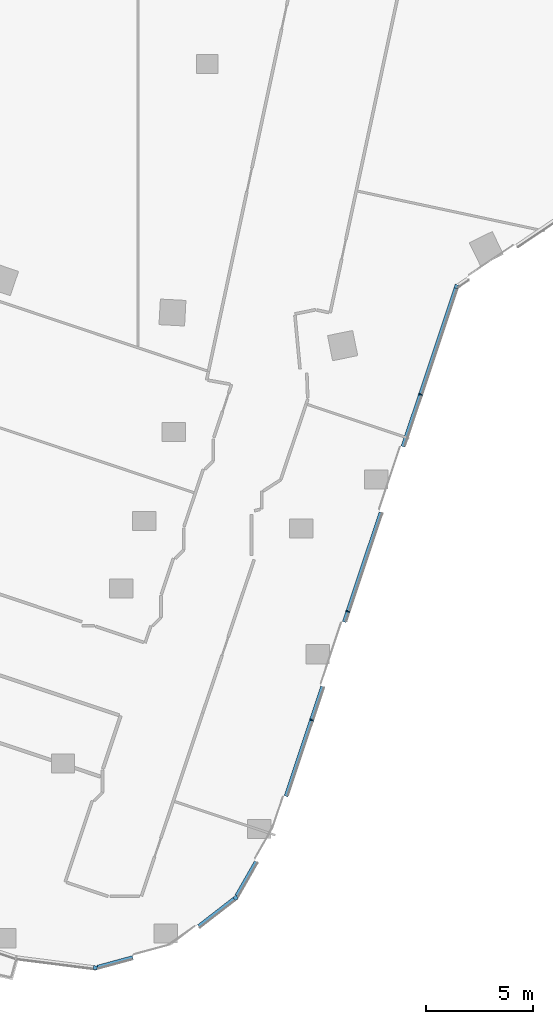
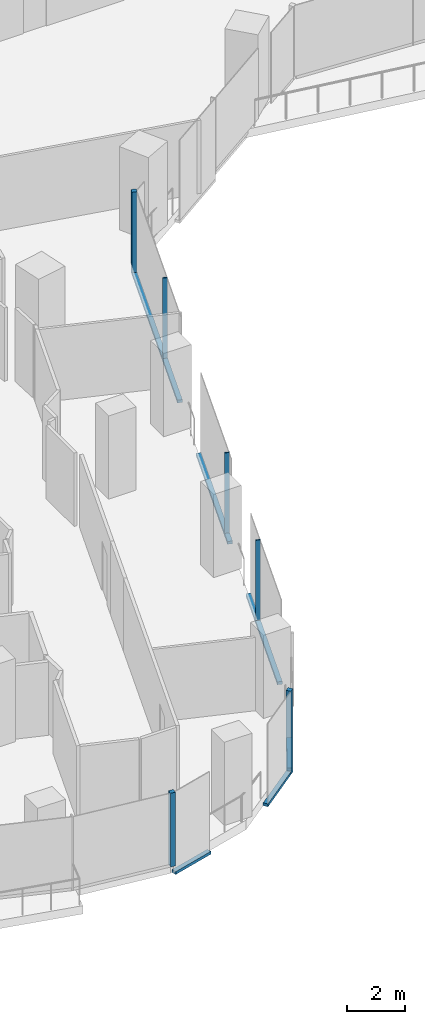
# One storey, part 5 of 34: 12 members, 5 elements without a shape of their own.
"""IFC4 building model written with IfcOpenShell, lengths in metres."""

import ifcopenshell
import ifcopenshell.guid

model = None  # the IFC model being written
_history = None  # IfcOwnerHistory: only IFC2X3 demands one
_inside = {}  # id of a spatial element -> (the spatial element, [elements in it])
_under = {}  # id of a project, library or spatial element -> (it, [spatial elements below it])
_declared = {}  # id of a project -> (the project, [libraries it declares])
_typed = {}  # id of a type object -> (the type object, [elements of that type])
_made_of = {}  # id of a material, layer set ... -> (it, [elements and type objects made of it])


def new_model(schema):
    """Start an empty IFC model of exactly this schema.

    Asked for "IFC4X3", IfcOpenShell would pick the latest addendum, in which some entities
    have other attributes; the version numbers below select the first issue.
    IFC2X3 requires an IfcOwnerHistory on every rooted entity: one is made here for all.
    """
    global model, _history
    if schema == "IFC4X3":
        model = ifcopenshell.file(schema_version=(4, 3, 0, 0))
    else:
        model = ifcopenshell.file(schema=schema)
    _inside.clear()
    _under.clear()
    _declared.clear()
    _typed.clear()
    _made_of.clear()
    _history = None
    if model.schema == "IFC2X3":
        org = make("IfcOrganization", Name="unknown")
        user = make(
            "IfcPersonAndOrganization",
            ThePerson=make("IfcPerson", FamilyName="unknown"),
            TheOrganization=org,
        )
        app = make(
            "IfcApplication",
            ApplicationDeveloper=org,
            Version="unknown",
            ApplicationFullName="unknown",
            ApplicationIdentifier="unknown",
        )
        _history = make(
            "IfcOwnerHistory",
            OwningUser=user,
            OwningApplication=app,
            ChangeAction="ADDED",
            CreationDate=0,
        )
    return model


def make(cls, **values):
    """One entity of the class cls with the attributes given. An attribute that is None is left unset."""
    return model.create_entity(
        cls, **{name: value for name, value in values.items() if value is not None}
    )


def rooted(cls, **values):
    """An entity with a GlobalId (a new one), such as an element, a storey or a relation."""
    return make(cls, GlobalId=ifcopenshell.guid.new(), OwnerHistory=_history, **values)


def si_unit(unit_type, name, prefix=None):
    """IfcSIUnit, for example si_unit("LENGTHUNIT", "METRE", prefix="MILLI")."""
    return make("IfcSIUnit", UnitType=unit_type, Prefix=prefix, Name=name)


def assignment(units):
    """IfcUnitAssignment: the units of a project."""
    return None if units is None else make("IfcUnitAssignment", Units=units)


def point(xyz):
    """IfcCartesianPoint."""
    return None if xyz is None else make("IfcCartesianPoint", Coordinates=xyz)


def direction(xyz):
    """IfcDirection."""
    return None if xyz is None else make("IfcDirection", DirectionRatios=xyz)


def frame(location, z_axis=None, x_axis=None):
    """IfcAxis2Placement3D, a coordinate frame: its origin and axes. An axis left out is left unset."""
    return make(
        "IfcAxis2Placement3D",
        Location=point(location),
        Axis=direction(z_axis),
        RefDirection=direction(x_axis),
    )


def frame_2d(location, x_axis=None):
    """IfcAxis2Placement2D, a coordinate frame in the plane: its origin and x axis."""
    return make(
        "IfcAxis2Placement2D", Location=point(location), RefDirection=direction(x_axis)
    )


def origin():
    """The frame at (0, 0, 0) with its axes left unset."""
    return frame((0.0, 0.0, 0.0))


def origin_2d():
    """The frame at (0, 0) in the plane with its x axis left unset."""
    return frame_2d((0.0, 0.0))


def place(relative_to, where):
    """IfcLocalPlacement: puts the frame where relative to a parent placement (None: the world)."""
    return make(
        "IfcLocalPlacement", PlacementRelTo=relative_to, RelativePlacement=where
    )


def context(
    kind, dimensions, precision=None, world=None, true_north=None, identifier=None
):
    """IfcGeometricRepresentationContext, for example the 3D "Model" context."""
    return make(
        "IfcGeometricRepresentationContext",
        ContextIdentifier=identifier,
        ContextType=kind,
        CoordinateSpaceDimension=dimensions,
        Precision=precision,
        WorldCoordinateSystem=world,
        TrueNorth=true_north,
    )


def subcontext(parent, identifier, kind, view, scale=None):
    """IfcGeometricRepresentationSubContext, for example "Body" below "Model"."""
    return make(
        "IfcGeometricRepresentationSubContext",
        ContextIdentifier=identifier,
        ContextType=kind,
        ParentContext=parent,
        TargetScale=scale,
        TargetView=view,
    )


def project(units=None, contexts=None):
    """IfcProject with its units and contexts."""
    return rooted(
        "IfcProject",
        Name="project",
        RepresentationContexts=contexts,
        UnitsInContext=assignment(units),
    )


def spatial(cls, under=None, at=None, **own):
    """A site, building, storey or space (cls), placed at a placement, below another one or the project."""
    s = rooted(cls, ObjectPlacement=at, **own)
    if under is not None:
        _under.setdefault(under.id(), (under, []))[1].append(s)
    return s


def profile(cls, at=None, kind="AREA", **sizes):
    """A parametric profile (cls). Its sizes go by their IFC names, for example OverallWidth=200.0."""
    return make(cls, ProfileType=kind, Position=at, **sizes)


def rectangle(**sizes):
    """IfcRectangleProfileDef."""
    return profile("IfcRectangleProfileDef", **sizes)


def extrude(swept, where, along, depth):
    """IfcExtrudedAreaSolid: the profile swept, set in the frame where, extruded along a direction by depth."""
    return make(
        "IfcExtrudedAreaSolid",
        SweptArea=swept,
        Position=where,
        ExtrudedDirection=direction(along),
        Depth=depth,
    )


def shape(context_of_items, identifier, shape_type, items):
    """IfcShapeRepresentation: the items that make up one representation, for example the "Body"."""
    return make(
        "IfcShapeRepresentation",
        ContextOfItems=context_of_items,
        RepresentationIdentifier=identifier,
        RepresentationType=shape_type,
        Items=items,
    )


def material(Name=None, Category=None):
    """IfcMaterial."""
    return make("IfcMaterial", Name=Name, Category=Category)


def material_profile(
    of_material, cross_section, Name=None, Category=None, Priority=None
):
    """IfcMaterialProfile: a cross section and its material."""
    return make(
        "IfcMaterialProfile",
        Name=Name,
        Material=of_material,
        Profile=cross_section,
        Priority=Priority,
        Category=Category,
    )


def profile_set(profiles, Name=None, composite=None):
    """IfcMaterialProfileSet."""
    return make(
        "IfcMaterialProfileSet",
        Name=Name,
        MaterialProfiles=profiles,
        CompositeProfile=composite,
    )


def made_of(thing, what):
    """Note that an element or type object is made of a material, layer set ...; save() writes the relation."""
    if what is not None:
        _made_of.setdefault(what.id(), (what, []))[1].append(thing)
    return thing


def type_object(cls, material=None, **own):
    """A type object (cls), such as IfcWallType, which elements share."""
    return made_of(rooted(cls, **own), material)


def element(
    cls,
    number,
    at=None,
    inside=None,
    cuts=None,
    type_object=None,
    material=None,
    context=None,
    identifier="Body",
    shape_type=None,
    held_by="IfcProductDefinitionShape",
    body=None,
    shapes=None,
    **own,
):
    """One element of the class cls, such as IfcWall. Its Tag is "e" and its number.

    at: its placement. inside: the storey or other place that contains it. cuts: it is an
    opening in that element (IfcRelVoidsElement). A single representation is given by context,
    identifier, shape_type and body (its items); several are given by shapes. held_by: the class
    of the entity that holds the representations. save() writes the other relations.
    """
    e = rooted(cls, Tag="e%d" % number, ObjectPlacement=at, **own)
    if body is not None:
        shapes = [shape(context, identifier, shape_type, body)]
    if shapes is not None:
        e.Representation = make(held_by, Representations=shapes)
    if inside is not None:
        _inside.setdefault(inside.id(), (inside, []))[1].append(e)
    if cuts is not None:
        rooted(
            "IfcRelVoidsElement", RelatingBuildingElement=cuts, RelatedOpeningElement=e
        )
    if type_object is not None:
        _typed.setdefault(type_object.id(), (type_object, []))[1].append(e)
    return made_of(e, material)


def aggregate(whole, parts):
    """IfcRelAggregates: a whole, such as a stair, and the parts it consists of."""
    return rooted("IfcRelAggregates", RelatingObject=whole, RelatedObjects=parts)


def save(model, path):
    """Write the relations noted so far, then the file.

    IfcRelAggregates (storeys below a building ...), IfcRelContainedInSpatialStructure (elements
    in a storey), IfcRelDefinesByType, IfcRelAssociatesMaterial and IfcRelDeclares: one each for
    every whole, place, type object, material and project.
    """
    for whole, parts in _under.values():
        aggregate(whole, parts)
    for where, things in _inside.values():
        rooted(
            "IfcRelContainedInSpatialStructure",
            RelatedElements=things,
            RelatingStructure=where,
        )
    for kind, things in _typed.values():
        rooted("IfcRelDefinesByType", RelatedObjects=things, RelatingType=kind)
    for what, things in _made_of.values():
        rooted("IfcRelAssociatesMaterial", RelatedObjects=things, RelatingMaterial=what)
    for by, libraries in _declared.values():
        rooted("IfcRelDeclares", RelatingContext=by, RelatedDefinitions=libraries)
    model.write(path)


model = new_model("IFC4")

# Units and contexts
model_context = context("Model", 3, precision=1e-05, world=origin(), true_north=direction((0.0, 1.0)))
body_context = subcontext(model_context, "Body", "Model", "MODEL_VIEW")
ifc_project = project(units=[si_unit("LENGTHUNIT", "METRE"), si_unit("AREAUNIT", "SQUARE_METRE"), si_unit("VOLUMEUNIT", "CUBIC_METRE"), si_unit("PLANEANGLEUNIT", "RADIAN"), si_unit("MASSUNIT", "GRAM", prefix="KILO")], contexts=[model_context])

# Site, building, storey
site_placement = place(None, origin())
site = spatial("IfcSite", under=ifc_project, at=site_placement, CompositionType="ELEMENT")
building_placement = place(site_placement, origin())
building = spatial("IfcBuilding", under=site, at=building_placement, Name="Orlundy Tower", CompositionType="ELEMENT")
storey_placement = place(building_placement, frame((0.0, 0.0, 145.60009765625)))
storey = spatial("IfcBuildingStorey", under=building, at=storey_placement, Name="L37", CompositionType="ELEMENT", Elevation=145.60009765625)

# Curtain wall, member
ifc_material_1 = material(Name="Aluminium bronze anodised", Category="aluminium")
curtain_wall_type = type_object("IfcCurtainWallType", Name="CW1 wall", PredefinedType="NOTDEFINED", material=ifc_material_1)
curtain_wall_1_placement = place(storey_placement, origin())
curtain_wall_1 = element("IfcCurtainWall", 1, at=curtain_wall_1_placement, inside=storey, type_object=curtain_wall_type, Name="CW1 run 02", PredefinedType="NOTDEFINED")
ifc_material_2 = material(Name="Aluminium bronze anodised", Category="aluminium")
ifc_material_profile_1 = material_profile(ifc_material_2, rectangle(XDim=0.179931640625, YDim=0.179931640625, at=origin_2d()), Name="CW1 corner post 180x180")
ifc_profile_set_1 = profile_set([ifc_material_profile_1], Name="Aluminium bronze anodised")
member_type_1 = type_object("IfcMemberType", Name="CW1 corner post 180x180", PredefinedType="MULLION", material=ifc_profile_set_1)
member_1_placement = place(storey_placement, frame((11.675537109375, -28.41943359375, -0.400146484375), z_axis=(0.0, 0.0, 1.0), x_axis=(0.948320522025, -0.317314020344, 0.0)))
member_1 = element("IfcMember", 2, at=member_1_placement, type_object=member_type_1, Name="CW1 mullion 9", PredefinedType="MULLION", context=body_context, shape_type="SweptSolid", body=[
    extrude(rectangle(XDim=0.179931640625, YDim=0.179931640625, at=origin_2d()), origin(), (0.0, 0.0, 1.0), 3.5),
])

curtain_wall_2_placement = place(storey_placement, origin())
curtain_wall_2 = element("IfcCurtainWall", 3, at=curtain_wall_2_placement, inside=storey, type_object=curtain_wall_type, Name="CW1 run 04", PredefinedType="NOTDEFINED")
member_2_placement = place(storey_placement, frame((1.331298828125, -57.040283203125, -0.400146484375), z_axis=(0.0, 0.0, 1.0), x_axis=(0.61231463548, -0.790614183516, 0.0)))
member_2 = element("IfcMember", 4, at=member_2_placement, type_object=member_type_1, Name="CW1 mullion 15", PredefinedType="MULLION", context=body_context, shape_type="SweptSolid", body=[
    extrude(rectangle(XDim=0.179931640625, YDim=0.179931640625, at=origin_2d()), origin(), (0.0, 0.0, 1.0), 3.5),
])

curtain_wall_3_placement = place(storey_placement, origin())
curtain_wall_3 = element("IfcCurtainWall", 5, at=curtain_wall_3_placement, inside=storey, type_object=curtain_wall_type, Name="CW1 run 06", PredefinedType="NOTDEFINED")
member_3_placement = place(storey_placement, frame((-5.238525390625, -60.316650390625, 0.0), z_axis=(0.0, 0.0, 1.0), x_axis=(-0.126259106648, -0.99199729737, 0.0)))
member_3 = element("IfcMember", 6, at=member_3_placement, type_object=member_type_1, Name="CW1 mullion 17", PredefinedType="MULLION", context=body_context, shape_type="SweptSolid", body=[
    extrude(rectangle(XDim=0.179931640625, YDim=0.179931640625, at=origin_2d()), origin(), (0.0, 0.0, 1.0), 3.099853515625),
])
aggregate(curtain_wall_3, [member_3])

# Member
ifc_material_3 = material(Name="Aluminium bronze anodised", Category="aluminium")
ifc_material_profile_2 = material_profile(ifc_material_3, rectangle(XDim=0.179931640625, YDim=0.050048828125, at=origin_2d()), Name="CW1 mullion 50x180")
ifc_profile_set_2 = profile_set([ifc_material_profile_2], Name="Aluminium bronze anodised")
member_type_2 = type_object("IfcMemberType", Name="CW1 mullion 50x180", PredefinedType="MULLION", material=ifc_profile_set_2)
member_4_placement = place(storey_placement, frame((9.985595703125, -33.470458984375, -0.400146484375), z_axis=(0.0, 0.0, 1.0), x_axis=(0.948320522025, -0.317314020344, 0.0)))
member_4 = element("IfcMember", 7, at=member_4_placement, type_object=member_type_2, Name="CW1 mullion 10", PredefinedType="MULLION", context=body_context, shape_type="SweptSolid", body=[
    extrude(rectangle(XDim=0.179931640625, YDim=0.050048828125, at=origin_2d()), origin(), (0.0, 0.0, 1.0), 3.5),
])

member_5_placement = place(storey_placement, frame((6.5859375, -43.630615234375, -0.400146484375), z_axis=(0.0, 0.0, 1.0), x_axis=(0.948320522025, -0.317314020344, 0.0)))
member_5 = element("IfcMember", 8, at=member_5_placement, type_object=member_type_2, Name="CW1 mullion 12", PredefinedType="MULLION", context=body_context, shape_type="SweptSolid", body=[
    extrude(rectangle(XDim=0.179931640625, YDim=0.050048828125, at=origin_2d()), origin(), (0.0, 0.0, 1.0), 3.5),
])

member_6_placement = place(storey_placement, frame((4.88623046875, -48.71044921875, -0.400146484375), z_axis=(0.0, 0.0, 1.0), x_axis=(0.948320522025, -0.317314020344, 0.0)))
member_6 = element("IfcMember", 9, at=member_6_placement, type_object=member_type_2, Name="CW1 mullion 13", PredefinedType="MULLION", context=body_context, shape_type="SweptSolid", body=[
    extrude(rectangle(XDim=0.179931640625, YDim=0.050048828125, at=origin_2d()), origin(), (0.0, 0.0, 1.0), 3.5),
])

ifc_material_4 = material(Name="Aluminium bronze anodised", Category="aluminium")
ifc_material_profile_3 = material_profile(ifc_material_4, rectangle(XDim=0.179931640625, YDim=0.1201171875, at=origin_2d()), Name="CW1 transom 180x120")
ifc_profile_set_3 = profile_set([ifc_material_profile_3], Name="Aluminium bronze anodised")
member_type_3 = type_object("IfcMemberType", Name="CW1 transom 180x120", PredefinedType="USERDEFINED", material=ifc_profile_set_3)
member_7_placement = place(storey_placement, frame((11.647216796875, -28.5048828125, -0.340087890625), z_axis=(-0.317325013084, -0.948316843714, 0.0), x_axis=(0.948316843714, -0.317325013084, 0.0)))
member_7 = element("IfcMember", 10, at=member_7_placement, type_object=member_type_3, Name="CW1 transom", ObjectType="TRANSOM", PredefinedType="USERDEFINED", context=body_context, shape_type="SweptSolid", body=[
    extrude(rectangle(XDim=0.179931640625, YDim=0.1201171875, at=origin_2d()), origin(), (0.0, 0.0, 1.0), 7.808349609375),
])

member_8_placement = place(storey_placement, frame((8.138671875, -38.990478515625, -0.340087890625), z_axis=(-0.317336582459, -0.9483129723, 0.0), x_axis=(0.9483129723, -0.317336582459, 0.0)))
member_8 = element("IfcMember", 11, at=member_8_placement, type_object=member_type_3, Name="CW1 transom", ObjectType="TRANSOM", PredefinedType="USERDEFINED", context=body_context, shape_type="SweptSolid", body=[
    extrude(rectangle(XDim=0.179931640625, YDim=0.1201171875, at=origin_2d()), origin(), (0.0, 0.0, 1.0), 5.415283203125),
])

member_9_placement = place(storey_placement, frame((5.408203125, -47.150146484375, -0.340087890625), z_axis=(-0.317322547976, -0.948317668583, 0.0), x_axis=(0.948317668583, -0.317322547976, 0.0)))
member_9 = element("IfcMember", 12, at=member_9_placement, type_object=member_type_3, Name="CW1 transom", ObjectType="TRANSOM", PredefinedType="USERDEFINED", context=body_context, shape_type="SweptSolid", body=[
    extrude(rectangle(XDim=0.179931640625, YDim=0.1201171875, at=origin_2d()), origin(), (0.0, 0.0, 1.0), 5.41796875),
])

aggregate(curtain_wall_1, [member_1, member_4, member_5, member_6, member_7, member_8, member_9])

# Curtain wall, member
curtain_wall_4_placement = place(storey_placement, origin())
curtain_wall_4 = element("IfcCurtainWall", 13, at=curtain_wall_4_placement, inside=storey, type_object=curtain_wall_type, Name="CW1 run 03", PredefinedType="NOTDEFINED")
member_10_placement = place(storey_placement, frame((2.292724609375, -55.35791015625, -0.340087890625), z_axis=(-0.496196088621, -0.868210482336, 0.0), x_axis=(0.868210482336, -0.496196088621, 0.0)))
member_10 = element("IfcMember", 14, at=member_10_placement, type_object=member_type_3, Name="CW1 transom", ObjectType="TRANSOM", PredefinedType="USERDEFINED", context=body_context, shape_type="SweptSolid", body=[
    extrude(rectangle(XDim=0.179931640625, YDim=0.1201171875, at=origin_2d()), origin(), (0.0, 0.0, 1.0), 1.840087890625),
])
aggregate(curtain_wall_4, [member_10])

# Member
member_11_placement = place(storey_placement, frame((1.260009765625, -57.09521484375, -0.340087890625), z_axis=(-0.790564949873, -0.612378200161, 0.0), x_axis=(0.612378200161, -0.790564949873, 0.0)))
member_11 = element("IfcMember", 15, at=member_11_placement, type_object=member_type_3, Name="CW1 transom", ObjectType="TRANSOM", PredefinedType="USERDEFINED", context=body_context, shape_type="SweptSolid", body=[
    extrude(rectangle(XDim=0.179931640625, YDim=0.1201171875, at=origin_2d()), origin(), (0.0, 0.0, 1.0), 2.08935546875),
])

aggregate(curtain_wall_2, [member_2, member_11])

# Curtain wall, member
curtain_wall_5_placement = place(storey_placement, origin())
curtain_wall_5 = element("IfcCurtainWall", 16, at=curtain_wall_5_placement, inside=storey, type_object=curtain_wall_type, Name="CW1 run 05", PredefinedType="NOTDEFINED")
member_12_placement = place(storey_placement, frame((-3.48193359375, -59.837646484375, -0.340087890625), z_axis=(-0.9647736285, -0.26308144319, 0.0), x_axis=(0.26308144319, -0.9647736285, 0.0)))
member_12 = element("IfcMember", 17, at=member_12_placement, type_object=member_type_3, Name="CW1 transom", ObjectType="TRANSOM", PredefinedType="USERDEFINED", context=body_context, shape_type="SweptSolid", body=[
    extrude(rectangle(XDim=0.179931640625, YDim=0.1201171875, at=origin_2d()), origin(), (0.0, 0.0, 1.0), 1.723388671875),
])
aggregate(curtain_wall_5, [member_12])

save(model, "model.ifc")
